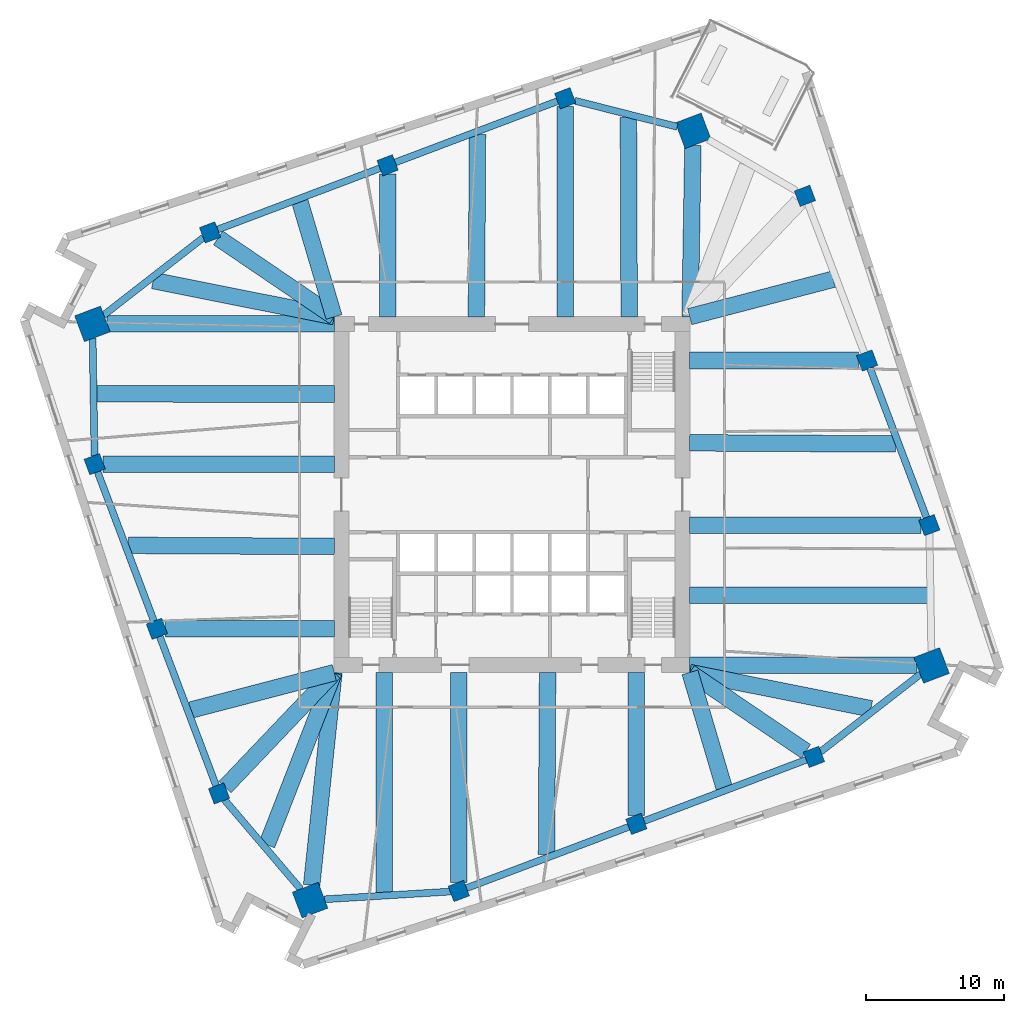
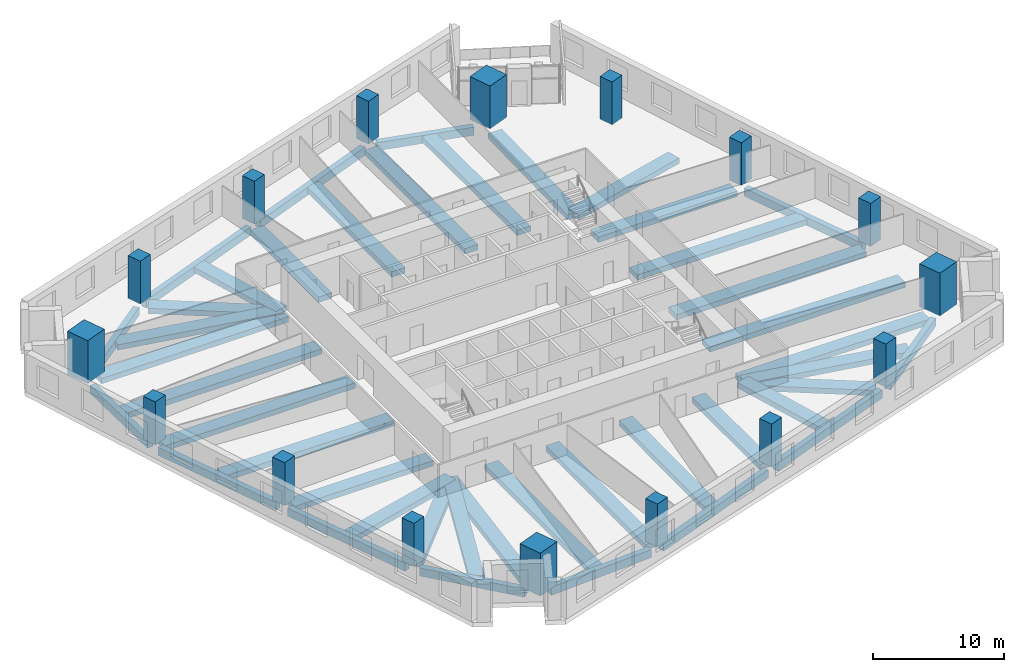
# One storey, part 1 of 12: 43 beams, 16 columns.
"""IFC4 building model written with IfcOpenShell, lengths in metres."""

from ifc_helpers import new_model, si_unit, direction, frame, origin, origin_2d, place, context, subcontext, project, spatial, rectangle, extrude, material, material_profile, profile_set, type_object, element, save


model = new_model("IFC4")

# Units and contexts
model_context = context("Model", 3, precision=1e-05, world=origin(), true_north=direction((0.0, 1.0)))
body_context = subcontext(model_context, "Body", "Model", "MODEL_VIEW")
ifc_project = project(units=[si_unit("LENGTHUNIT", "METRE"), si_unit("AREAUNIT", "SQUARE_METRE"), si_unit("VOLUMEUNIT", "CUBIC_METRE"), si_unit("PLANEANGLEUNIT", "RADIAN"), si_unit("MASSUNIT", "GRAM", prefix="KILO")], contexts=[model_context])

# Site, building, storey
site_placement = place(None, origin())
site = spatial("IfcSite", under=ifc_project, at=site_placement, CompositionType="ELEMENT")
building_placement = place(site_placement, origin())
building = spatial("IfcBuilding", under=site, at=building_placement, Name="Dilmun Exchange Tower", CompositionType="ELEMENT")
storey_placement = place(building_placement, frame((0.0, 0.0, 94.10009765625)))
storey = spatial("IfcBuildingStorey", under=building, at=storey_placement, Name="L21", CompositionType="ELEMENT", Elevation=94.10009765625)

# Columns
ifc_material_1 = material(Name="Concrete C70/85", Category="concrete")
ifc_material_profile_1 = material_profile(ifc_material_1, rectangle(XDim=2.0, YDim=2.0, at=origin_2d()), Name="2000 x 2000")
ifc_profile_set_1 = profile_set([ifc_material_profile_1], Name="Concrete C70/85")
column_type_1 = type_object("IfcColumnType", Name="RC mega column 2000 x 2000 C70/85", PredefinedType="COLUMN", material=ifc_profile_set_1)
for number, where, z_axis, x_axis, name in (
    (1, (13.1220703125, 26.35400390625, 0.0), (0.0, 0.0, 1.0), (0.935491525991, 0.353349125935, 0.0), "Mega column M1"),
    (2, (-30.39404296875, 12.37109375, 0.0), (0.0, 0.0, 1.0), (0.935491525991, 0.353349125935, 0.0), "Mega column M2"),
    (3, (-14.6259765625, -29.3759765625, 0.0), (0.0, 0.0, 1.0), (0.935491525991, 0.353349125935, 0.0), "Mega column M3"),
    (4, (30.39404296875, -12.37109375, 0.0), (0.0, 0.0, 1.0), (0.935491525991, 0.353349125935, 0.0), "Mega column M4"),
):
    element("IfcColumn", number, at=place(storey_placement, frame(where, z_axis=z_axis, x_axis=x_axis)), inside=storey, type_object=column_type_1, Name=name, PredefinedType="COLUMN", context=body_context, shape_type="SweptSolid", body=[
        extrude(rectangle(XDim=2.0, YDim=2.0, at=origin_2d()), origin(), (0.0, 0.0, 1.0), 4.0),
    ])
ifc_material_profile_2 = material_profile(ifc_material_1, rectangle(XDim=1.199951171875, YDim=1.199951171875, at=origin_2d()), Name="1200 x 1200")
ifc_profile_set_2 = profile_set([ifc_material_profile_2], Name="Concrete C70/85")
column_type_2 = type_object("IfcColumnType", Name="RC ring column 1200 x 1200 C70/85", PredefinedType="COLUMN", material=ifc_profile_set_2)
for number, where, z_axis, x_axis, name in (
    (5, (3.85302734375, 28.714111328125, 0.0), (0.0, 0.0, 1.0), (0.935491525991, 0.353349125935, 0.0), "Ring column R01"),
    (6, (-9.010009765625, 23.85498046875, 0.0), (0.0, 0.0, 1.0), (0.935491525991, 0.353349125935, 0.0), "Ring column R02"),
    (7, (-21.873046875, 18.99609375, 0.0), (0.0, 0.0, 1.0), (0.935491525991, 0.353349125935, 0.0), "Ring column R03"),
    (8, (-30.23095703125, 2.2099609375, 0.0), (0.0, 0.0, 1.0), (0.935491525991, 0.353349125935, 0.0), "Ring column R04"),
    (9, (-25.72607421875, -9.717041015625, 0.0), (0.0, 0.0, 1.0), (0.935491525991, 0.353349125935, 0.0), "Ring column R05"),
    (10, (-21.220947265625, -21.64501953125, 0.0), (0.0, 0.0, 1.0), (0.935491525991, 0.353349125935, 0.0), "Ring column R06"),
    (11, (-3.85302734375, -28.714111328125, 0.0), (0.0, 0.0, 1.0), (0.935491525991, 0.353349125935, 0.0), "Ring column R07"),
    (12, (9.010009765625, -23.85498046875, 0.0), (0.0, 0.0, 1.0), (0.935491525991, 0.353349125935, 0.0), "Ring column R08"),
    (13, (21.873046875, -18.99609375, 0.0), (0.0, 0.0, 1.0), (0.935491525991, 0.353349125935, 0.0), "Ring column R09"),
    (14, (30.23095703125, -2.2099609375, 0.0), (0.0, 0.0, 1.0), (0.935491525991, 0.353349125935, 0.0), "Ring column R10"),
    (15, (25.72607421875, 9.717041015625, 0.0), (0.0, 0.0, 1.0), (0.935491525991, 0.353349125935, 0.0), "Ring column R11"),
    (16, (21.220947265625, 21.64501953125, 0.0), (0.0, 0.0, 1.0), (0.935491525991, 0.353349125935, 0.0), "Ring column R12"),
):
    element("IfcColumn", number, at=place(storey_placement, frame(where, z_axis=z_axis, x_axis=x_axis)), inside=storey, type_object=column_type_2, Name=name, PredefinedType="COLUMN", context=body_context, shape_type="SweptSolid", body=[
        extrude(rectangle(XDim=1.199951171875, YDim=1.199951171875, at=origin_2d()), origin(), (0.0, 0.0, 1.0), 4.0),
    ])

# Beams
ifc_material_2 = material(Name="Concrete C40/50", Category="concrete")
ifc_material_profile_3 = material_profile(ifc_material_2, rectangle(XDim=1.199951171875, YDim=0.5, at=origin_2d()), Name="1200 x 500")
ifc_profile_set_3 = profile_set([ifc_material_profile_3], Name="Concrete C40/50")
beam_type_1 = type_object("IfcBeamType", Name="RC band beam 1200 x 500 C40/50", PredefinedType="BEAM", material=ifc_profile_set_3)
beam_1_placement = place(storey_placement, frame((13.104736328125, 25.305419921875, -0.77001953125), z_axis=(-0.016493249431, -0.99986397711, 0.0), x_axis=(0.99986397711, -0.016493249431, 0.0)))
element("IfcBeam", 17, at=beam_1_placement, inside=storey, type_object=beam_type_1, Name="Band beam 1", PredefinedType="BEAM", context=body_context, shape_type="SweptSolid", body=[
    extrude(rectangle(XDim=1.199951171875, YDim=0.5, at=origin_2d()), origin(), (0.0, 0.0, 1.0), 12.43408203125),
])
beam_2_placement = place(storey_placement, frame((3.85302734375, 28.099609375, -0.77001953125), z_axis=(0.0, -1.0, 0.0), x_axis=(1.0, 0.0, 0.0)))
element("IfcBeam", 18, at=beam_2_placement, inside=storey, type_object=beam_type_1, Name="Band beam 2", PredefinedType="BEAM", context=body_context, shape_type="SweptSolid", body=[
    extrude(rectangle(XDim=1.199951171875, YDim=0.5, at=origin_2d()), origin(), (0.0, 0.0, 1.0), 15.2265625),
])
beam_3_placement = place(storey_placement, frame((-9.010009765625, 23.240478515625, -0.77001953125), z_axis=(0.0, -1.0, 0.0), x_axis=(1.0, 0.0, 0.0)))
element("IfcBeam", 19, at=beam_3_placement, inside=storey, type_object=beam_type_1, Name="Band beam 3", PredefinedType="BEAM", context=body_context, shape_type="SweptSolid", body=[
    extrude(rectangle(XDim=1.199951171875, YDim=0.5, at=origin_2d()), origin(), (0.0, 0.0, 1.0), 10.367431640625),
])
beam_4_placement = place(storey_placement, frame((-21.28857421875, 18.59912109375, -0.77001953125), z_axis=(0.827157308771, -0.561970449888, 0.0), x_axis=(0.561970449888, 0.827157308771, 0.0)))
element("IfcBeam", 20, at=beam_4_placement, inside=storey, type_object=beam_type_1, Name="Band beam 4", PredefinedType="BEAM", context=body_context, shape_type="SweptSolid", body=[
    extrude(rectangle(XDim=1.199951171875, YDim=0.5, at=origin_2d()), origin(), (0.0, 0.0, 1.0), 10.16845703125),
])
beam_5_placement = place(storey_placement, frame((-29.35205078125, 12.37109375, -0.77001953125), z_axis=(1.0, 0.0, 0.0), x_axis=(0.0, 1.0, 0.0)))
element("IfcBeam", 21, at=beam_5_placement, inside=storey, type_object=beam_type_1, Name="Band beam 5", PredefinedType="BEAM", context=body_context, shape_type="SweptSolid", body=[
    extrude(rectangle(XDim=1.199951171875, YDim=0.5, at=origin_2d()), origin(), (0.0, 0.0, 1.0), 16.47900390625),
])
beam_6_placement = place(storey_placement, frame((-29.61669921875, 2.2099609375, -0.77001953125), z_axis=(1.0, 0.0, 0.0), x_axis=(0.0, 1.0, 0.0)))
element("IfcBeam", 22, at=beam_6_placement, inside=storey, type_object=beam_type_1, Name="Band beam 6", PredefinedType="BEAM", context=body_context, shape_type="SweptSolid", body=[
    extrude(rectangle(XDim=1.199951171875, YDim=0.5, at=origin_2d()), origin(), (0.0, 0.0, 1.0), 16.74365234375),
])
beam_7_placement = place(storey_placement, frame((-25.111572265625, -9.717041015625, -0.77001953125), z_axis=(1.0, 0.0, 0.0), x_axis=(0.0, 1.0, 0.0)))
element("IfcBeam", 23, at=beam_7_placement, inside=storey, type_object=beam_type_1, Name="Band beam 7", PredefinedType="BEAM", context=body_context, shape_type="SweptSolid", body=[
    extrude(rectangle(XDim=1.199951171875, YDim=0.5, at=origin_2d()), origin(), (0.0, 0.0, 1.0), 12.238525390625),
])
beam_8_placement = place(storey_placement, frame((-20.780517578125, -21.181884765625, -0.77001953125), z_axis=(0.689333244672, 0.724444392476, 0.0), x_axis=(-0.724444392476, 0.689333244672, 0.0)))
element("IfcBeam", 24, at=beam_8_placement, inside=storey, type_object=beam_type_1, Name="Band beam 8", PredefinedType="BEAM", context=body_context, shape_type="SweptSolid", body=[
    extrude(rectangle(XDim=1.199951171875, YDim=0.5, at=origin_2d()), origin(), (0.0, 0.0, 1.0), 11.459228515625),
])
beam_9_placement = place(storey_placement, frame((-14.51220703125, -28.289794921875, -0.77001953125), z_axis=(0.104185478447, 0.994557884731, 0.0), x_axis=(-0.994557884731, 0.104185478447, 0.0)))
element("IfcBeam", 25, at=beam_9_placement, inside=storey, type_object=beam_type_1, Name="Band beam 9", PredefinedType="BEAM", context=body_context, shape_type="SweptSolid", body=[
    extrude(rectangle(XDim=1.199951171875, YDim=0.5, at=origin_2d()), origin(), (0.0, 0.0, 1.0), 15.501220703125),
])
beam_10_placement = place(storey_placement, frame((-3.85302734375, -28.099609375, -0.77001953125), z_axis=(0.0, 1.0, 0.0), x_axis=(-1.0, 0.0, 0.0)))
element("IfcBeam", 26, at=beam_10_placement, inside=storey, type_object=beam_type_1, Name="Band beam 10", PredefinedType="BEAM", context=body_context, shape_type="SweptSolid", body=[
    extrude(rectangle(XDim=1.199951171875, YDim=0.5, at=origin_2d()), origin(), (0.0, 0.0, 1.0), 15.2265625),
])
beam_11_placement = place(storey_placement, frame((9.010009765625, -23.240478515625, -0.77001953125), z_axis=(0.0, 1.0, 0.0), x_axis=(-1.0, 0.0, 0.0)))
element("IfcBeam", 27, at=beam_11_placement, inside=storey, type_object=beam_type_1, Name="Band beam 11", PredefinedType="BEAM", context=body_context, shape_type="SweptSolid", body=[
    extrude(rectangle(XDim=1.199951171875, YDim=0.5, at=origin_2d()), origin(), (0.0, 0.0, 1.0), 10.367431640625),
])
beam_12_placement = place(storey_placement, frame((21.28857421875, -18.59912109375, -0.77001953125), z_axis=(-0.827157308771, 0.561970449888, 0.0), x_axis=(-0.561970449888, -0.827157308771, 0.0)))
element("IfcBeam", 28, at=beam_12_placement, inside=storey, type_object=beam_type_1, Name="Band beam 12", PredefinedType="BEAM", context=body_context, shape_type="SweptSolid", body=[
    extrude(rectangle(XDim=1.199951171875, YDim=0.5, at=origin_2d()), origin(), (0.0, 0.0, 1.0), 10.16845703125),
])
beam_13_placement = place(storey_placement, frame((29.35205078125, -12.37109375, -0.77001953125), z_axis=(-1.0, 0.0, 0.0), x_axis=(0.0, -1.0, 0.0)))
element("IfcBeam", 29, at=beam_13_placement, inside=storey, type_object=beam_type_1, Name="Band beam 13", PredefinedType="BEAM", context=body_context, shape_type="SweptSolid", body=[
    extrude(rectangle(XDim=1.199951171875, YDim=0.5, at=origin_2d()), origin(), (0.0, 0.0, 1.0), 16.47900390625),
])
beam_14_placement = place(storey_placement, frame((29.61669921875, -2.2099609375, -0.77001953125), z_axis=(-1.0, 0.0, 0.0), x_axis=(0.0, -1.0, 0.0)))
element("IfcBeam", 30, at=beam_14_placement, inside=storey, type_object=beam_type_1, Name="Band beam 14", PredefinedType="BEAM", context=body_context, shape_type="SweptSolid", body=[
    extrude(rectangle(XDim=1.199951171875, YDim=0.5, at=origin_2d()), origin(), (0.0, 0.0, 1.0), 16.74365234375),
])
beam_15_placement = place(storey_placement, frame((25.111572265625, 9.717041015625, -0.77001953125), z_axis=(-1.0, 0.0, 0.0), x_axis=(0.0, -1.0, 0.0)))
element("IfcBeam", 31, at=beam_15_placement, inside=storey, type_object=beam_type_1, Name="Band beam 15", PredefinedType="BEAM", context=body_context, shape_type="SweptSolid", body=[
    extrude(rectangle(XDim=1.199951171875, YDim=0.5, at=origin_2d()), origin(), (0.0, 0.0, 1.0), 12.238525390625),
])
beam_16_placement = place(storey_placement, frame((8.4326171875, 27.31787109375, -0.670166015625), z_axis=(0.003802832253, -0.999992769207, 0.0), x_axis=(0.999992769207, 0.003802832253, 0.0)))
element("IfcBeam", 32, at=beam_16_placement, inside=storey, type_object=beam_type_1, Name="Band beam 17", PredefinedType="BEAM", context=body_context, shape_type="SweptSolid", body=[
    extrude(rectangle(XDim=1.199951171875, YDim=0.5, at=origin_2d()), origin(), (0.0, 0.0, 1.0), 14.44482421875),
])
beam_17_placement = place(storey_placement, frame((-2.499755859375, 26.075927734375, -0.670166015625), z_axis=(-0.005972637047, -0.999982163644, 0.0), x_axis=(0.999982163644, -0.005972637047, 0.0)))
element("IfcBeam", 33, at=beam_17_placement, inside=storey, type_object=beam_type_1, Name="Band beam 18", PredefinedType="BEAM", context=body_context, shape_type="SweptSolid", body=[
    extrude(rectangle(XDim=1.199951171875, YDim=0.5, at=origin_2d()), origin(), (0.0, 0.0, 1.0), 13.203125),
])
beam_18_placement = place(storey_placement, frame((-15.36279296875, 21.216796875, -0.670166015625), z_axis=(0.283932601838, -0.958844240538, 0.0), x_axis=(0.958844240538, 0.283932601838, 0.0)))
element("IfcBeam", 34, at=beam_18_placement, inside=storey, type_object=beam_type_1, Name="Band beam 19", PredefinedType="BEAM", context=body_context, shape_type="SweptSolid", body=[
    extrude(rectangle(XDim=1.199951171875, YDim=0.5, at=origin_2d()), origin(), (0.0, 0.0, 1.0), 8.700927734375),
])
beam_19_placement = place(storey_placement, frame((-25.99658203125, 15.50732421875, -0.670166015625), z_axis=(0.980746640289, -0.19528447855, 0.0), x_axis=(0.19528447855, 0.980746640289, 0.0)))
element("IfcBeam", 35, at=beam_19_placement, inside=storey, type_object=beam_type_1, Name="Band beam 20", PredefinedType="BEAM", context=body_context, shape_type="SweptSolid", body=[
    extrude(rectangle(XDim=1.199951171875, YDim=0.5, at=origin_2d()), origin(), (0.0, 0.0, 1.0), 13.380615234375),
])
beam_20_placement = place(storey_placement, frame((-30.089599609375, 7.294189453125, -0.670166015625), z_axis=(0.999999977378, -0.000212708627, 0.0), x_axis=(0.000212708627, 0.999999977378, 0.0)))
element("IfcBeam", 36, at=beam_20_placement, inside=storey, type_object=beam_type_1, Name="Band beam 21", PredefinedType="BEAM", context=body_context, shape_type="SweptSolid", body=[
    extrude(rectangle(XDim=1.199951171875, YDim=0.5, at=origin_2d()), origin(), (0.0, 0.0, 1.0), 17.216552734375),
])
beam_21_placement = place(storey_placement, frame((-27.77001953125, -3.6748046875, -0.670166015625), z_axis=(0.999986076233, -0.005277057861, 0.0), x_axis=(0.005277057861, 0.999986076233, 0.0)))
element("IfcBeam", 37, at=beam_21_placement, inside=storey, type_object=beam_type_1, Name="Band beam 22", PredefinedType="BEAM", context=body_context, shape_type="SweptSolid", body=[
    extrude(rectangle(XDim=1.199951171875, YDim=0.5, at=origin_2d()), origin(), (0.0, 0.0, 1.0), 14.897216796875),
])
beam_22_placement = place(storey_placement, frame((-23.264892578125, -15.602294921875, -0.670166015625), z_axis=(0.967651305888, 0.252291399404, 0.0), x_axis=(-0.252291399404, 0.967651305888, 0.0)))
element("IfcBeam", 38, at=beam_22_placement, inside=storey, type_object=beam_type_1, Name="Band beam 23", PredefinedType="BEAM", context=body_context, shape_type="SweptSolid", body=[
    extrude(rectangle(XDim=1.199951171875, YDim=0.5, at=origin_2d()), origin(), (0.0, 0.0, 1.0), 10.738525390625),
])
beam_23_placement = place(storey_placement, frame((-17.75390625, -25.36572265625, -0.670166015625), z_axis=(0.362868113779, 0.931840507814, 0.0), x_axis=(-0.931840507814, 0.362868113779, 0.0)))
element("IfcBeam", 39, at=beam_23_placement, inside=storey, type_object=beam_type_1, Name="Band beam 24", PredefinedType="BEAM", context=body_context, shape_type="SweptSolid", body=[
    extrude(rectangle(XDim=1.199951171875, YDim=0.5, at=origin_2d()), origin(), (0.0, 0.0, 1.0), 13.404296875),
])
beam_24_placement = place(storey_placement, frame((-9.253173828125, -28.822509765625, -0.670166015625), z_axis=(0.000857199397, 0.999999632605, 0.0), x_axis=(-0.999999632605, 0.000857199397, 0.0)))
element("IfcBeam", 40, at=beam_24_placement, inside=storey, type_object=beam_type_1, Name="Band beam 25", PredefinedType="BEAM", context=body_context, shape_type="SweptSolid", body=[
    extrude(rectangle(XDim=1.199951171875, YDim=0.5, at=origin_2d()), origin(), (0.0, 0.0, 1.0), 15.949462890625),
])
beam_25_placement = place(storey_placement, frame((2.499755859375, -26.075927734375, -0.670166015625), z_axis=(0.005972637047, 0.999982163644, 0.0), x_axis=(-0.999982163644, 0.005972637047, 0.0)))
element("IfcBeam", 41, at=beam_25_placement, inside=storey, type_object=beam_type_1, Name="Band beam 26", PredefinedType="BEAM", context=body_context, shape_type="SweptSolid", body=[
    extrude(rectangle(XDim=1.199951171875, YDim=0.5, at=origin_2d()), origin(), (0.0, 0.0, 1.0), 13.203125),
])
beam_26_placement = place(storey_placement, frame((15.36279296875, -21.216796875, -0.670166015625), z_axis=(-0.283932601838, 0.958844240538, 0.0), x_axis=(-0.958844240538, -0.283932601838, 0.0)))
element("IfcBeam", 42, at=beam_26_placement, inside=storey, type_object=beam_type_1, Name="Band beam 27", PredefinedType="BEAM", context=body_context, shape_type="SweptSolid", body=[
    extrude(rectangle(XDim=1.199951171875, YDim=0.5, at=origin_2d()), origin(), (0.0, 0.0, 1.0), 8.700927734375),
])
beam_27_placement = place(storey_placement, frame((25.99658203125, -15.50732421875, -0.670166015625), z_axis=(-0.980746640289, 0.19528447855, 0.0), x_axis=(-0.19528447855, -0.980746640289, 0.0)))
element("IfcBeam", 43, at=beam_27_placement, inside=storey, type_object=beam_type_1, Name="Band beam 28", PredefinedType="BEAM", context=body_context, shape_type="SweptSolid", body=[
    extrude(rectangle(XDim=1.199951171875, YDim=0.5, at=origin_2d()), origin(), (0.0, 0.0, 1.0), 13.380615234375),
])
beam_28_placement = place(storey_placement, frame((30.089599609375, -7.294189453125, -0.670166015625), z_axis=(-0.999999977378, 0.000212708627, 0.0), x_axis=(-0.000212708627, -0.999999977378, 0.0)))
element("IfcBeam", 44, at=beam_28_placement, inside=storey, type_object=beam_type_1, Name="Band beam 29", PredefinedType="BEAM", context=body_context, shape_type="SweptSolid", body=[
    extrude(rectangle(XDim=1.199951171875, YDim=0.5, at=origin_2d()), origin(), (0.0, 0.0, 1.0), 17.216552734375),
])
beam_29_placement = place(storey_placement, frame((27.77001953125, 3.6748046875, -0.670166015625), z_axis=(-0.999986076233, 0.005277057861, 0.0), x_axis=(-0.005277057861, -0.999986076233, 0.0)))
element("IfcBeam", 45, at=beam_29_placement, inside=storey, type_object=beam_type_1, Name="Band beam 30", PredefinedType="BEAM", context=body_context, shape_type="SweptSolid", body=[
    extrude(rectangle(XDim=1.199951171875, YDim=0.5, at=origin_2d()), origin(), (0.0, 0.0, 1.0), 14.897216796875),
])
beam_30_placement = place(storey_placement, frame((23.264892578125, 15.602294921875, -0.670166015625), z_axis=(-0.967651305888, -0.252291399404, 0.0), x_axis=(0.252291399404, -0.967651305888, 0.0)))
element("IfcBeam", 46, at=beam_30_placement, inside=storey, type_object=beam_type_1, Name="Band beam 31", PredefinedType="BEAM", context=body_context, shape_type="SweptSolid", body=[
    extrude(rectangle(XDim=1.199951171875, YDim=0.5, at=origin_2d()), origin(), (0.0, 0.0, 1.0), 10.738525390625),
])
ifc_material_profile_4 = material_profile(ifc_material_2, rectangle(XDim=0.5, YDim=0.75, at=origin_2d()), Name="500 x 750")
ifc_profile_set_4 = profile_set([ifc_material_profile_4], Name="Concrete C40/50")
beam_type_2 = type_object("IfcBeamType", Name="RC ring beam 500 x 750 C40/50", PredefinedType="SPANDREL", material=ifc_profile_set_4)
beam_31_placement = place(storey_placement, frame((11.965576171875, 26.6484375, -0.795166015625), z_axis=(-0.969078622485, 0.246752149825, 0.0), x_axis=(-0.246752149825, -0.969078622485, 0.0)))
element("IfcBeam", 47, at=beam_31_placement, inside=storey, type_object=beam_type_2, Name="Ring beam 1", PredefinedType="SPANDREL", context=body_context, shape_type="SweptSolid", body=[
    extrude(rectangle(XDim=0.5, YDim=0.75, at=origin_2d()), origin(), (0.0, 0.0, 1.0), 7.666015625),
])
for number, where, z_axis, x_axis, name in (
    (48, (3.31689453125, 28.511474609375, -0.795166015625), (-0.935485896268, -0.353364030264, 0.0), (0.353364030264, -0.935485896268, 0.0), "Ring beam 2"),
    (49, (-9.5458984375, 23.652587890625, -0.795166015625), (-0.935479493126, -0.353380981294, 0.0), (0.353380981294, -0.935479493126, 0.0), "Ring beam 3"),
):
    element("IfcBeam", number, at=place(storey_placement, frame(where, z_axis=z_axis, x_axis=x_axis)), inside=storey, type_object=beam_type_2, Name=name, PredefinedType="SPANDREL", context=body_context, shape_type="SweptSolid", body=[
        extrude(rectangle(XDim=0.5, YDim=0.75, at=origin_2d()), origin(), (0.0, 0.0, 1.0), 12.604248046875),
    ])
beam_32_placement = place(storey_placement, frame((-22.347412109375, 18.627197265625, -0.795166015625), z_axis=(-0.789461122688, -0.613800566767, 0.0), x_axis=(0.613800566767, -0.789461122688, 0.0)))
element("IfcBeam", 50, at=beam_32_placement, inside=storey, type_object=beam_type_2, Name="Ring beam 4", PredefinedType="SPANDREL", context=body_context, shape_type="SweptSolid", body=[
    extrude(rectangle(XDim=0.5, YDim=0.75, at=origin_2d()), origin(), (0.0, 0.0, 1.0), 9.1728515625),
])
beam_33_placement = place(storey_placement, frame((-30.37744140625, 11.33544921875, -0.795166015625), z_axis=(0.016054357527, -0.999871120497, 0.0), x_axis=(0.999871120497, 0.016054357527, 0.0)))
element("IfcBeam", 51, at=beam_33_placement, inside=storey, type_object=beam_type_2, Name="Ring beam 5", PredefinedType="SPANDREL", context=body_context, shape_type="SweptSolid", body=[
    extrude(rectangle(XDim=0.5, YDim=0.75, at=origin_2d()), origin(), (0.0, 0.0, 1.0), 8.515869140625),
])
beam_34_placement = place(storey_placement, frame((-30.028564453125, 1.674072265625, -0.795166015625), z_axis=(0.353349831573, -0.935491259461, 0.0), x_axis=(0.935491259461, 0.353349831573, 0.0)))
element("IfcBeam", 52, at=beam_34_placement, inside=storey, type_object=beam_type_2, Name="Ring beam 6", PredefinedType="SPANDREL", context=body_context, shape_type="SweptSolid", body=[
    extrude(rectangle(XDim=0.5, YDim=0.75, at=origin_2d()), origin(), (0.0, 0.0, 1.0), 11.603515625),
])
beam_35_placement = place(storey_placement, frame((-25.5234375, -10.2529296875, -0.795166015625), z_axis=(0.353303601311, -0.935508720056, 0.0), x_axis=(0.935508720056, 0.353303601311, 0.0)))
element("IfcBeam", 53, at=beam_35_placement, inside=storey, type_object=beam_type_2, Name="Ring beam 7", PredefinedType="SPANDREL", context=body_context, shape_type="SweptSolid", body=[
    extrude(rectangle(XDim=0.5, YDim=0.75, at=origin_2d()), origin(), (0.0, 0.0, 1.0), 11.604248046875),
])
beam_36_placement = place(storey_placement, frame((-20.82470703125, -22.109619140625, -0.795166015625), z_axis=(0.64900225023, -0.76078648726, 0.0), x_axis=(0.76078648726, 0.64900225023, 0.0)))
element("IfcBeam", 54, at=beam_36_placement, inside=storey, type_object=beam_type_2, Name="Ring beam 8", PredefinedType="SPANDREL", context=body_context, shape_type="SweptSolid", body=[
    extrude(rectangle(XDim=0.5, YDim=0.75, at=origin_2d()), origin(), (0.0, 0.0, 1.0), 8.515625),
])
beam_37_placement = place(storey_placement, frame((-13.608154296875, -29.3134765625, -0.795166015625), z_axis=(0.998117890072, 0.061324363166, 0.0), x_axis=(-0.061324363166, 0.998117890072, 0.0)))
element("IfcBeam", 55, at=beam_37_placement, inside=storey, type_object=beam_type_2, Name="Ring beam 9", PredefinedType="SPANDREL", context=body_context, shape_type="SweptSolid", body=[
    extrude(rectangle(XDim=0.5, YDim=0.75, at=origin_2d()), origin(), (0.0, 0.0, 1.0), 9.172607421875),
])
for number, where, z_axis, x_axis, name in (
    (56, (-3.31689453125, -28.511474609375, -0.795166015625), (0.935485896268, 0.353364030264, 0.0), (-0.353364030264, 0.935485896268, 0.0), "Ring beam 10"),
    (57, (9.5458984375, -23.652587890625, -0.795166015625), (0.935479493126, 0.353380981294, 0.0), (-0.353380981294, 0.935479493126, 0.0), "Ring beam 11"),
):
    element("IfcBeam", number, at=place(storey_placement, frame(where, z_axis=z_axis, x_axis=x_axis)), inside=storey, type_object=beam_type_2, Name=name, PredefinedType="SPANDREL", context=body_context, shape_type="SweptSolid", body=[
        extrude(rectangle(XDim=0.5, YDim=0.75, at=origin_2d()), origin(), (0.0, 0.0, 1.0), 12.604248046875),
    ])
beam_38_placement = place(storey_placement, frame((22.347412109375, -18.627197265625, -0.795166015625), z_axis=(0.789461122688, 0.613800566767, 0.0), x_axis=(-0.613800566767, 0.789461122688, 0.0)))
element("IfcBeam", 58, at=beam_38_placement, inside=storey, type_object=beam_type_2, Name="Ring beam 12", PredefinedType="SPANDREL", context=body_context, shape_type="SweptSolid", body=[
    extrude(rectangle(XDim=0.5, YDim=0.75, at=origin_2d()), origin(), (0.0, 0.0, 1.0), 9.1728515625),
])
beam_39_placement = place(storey_placement, frame((30.028564453125, -1.674072265625, -0.795166015625), z_axis=(-0.353349831573, 0.935491259461, 0.0), x_axis=(-0.935491259461, -0.353349831573, 0.0)))
element("IfcBeam", 59, at=beam_39_placement, inside=storey, type_object=beam_type_2, Name="Ring beam 14", PredefinedType="SPANDREL", context=body_context, shape_type="SweptSolid", body=[
    extrude(rectangle(XDim=0.5, YDim=0.75, at=origin_2d()), origin(), (0.0, 0.0, 1.0), 11.603515625),
])

save(model, "model.ifc")
